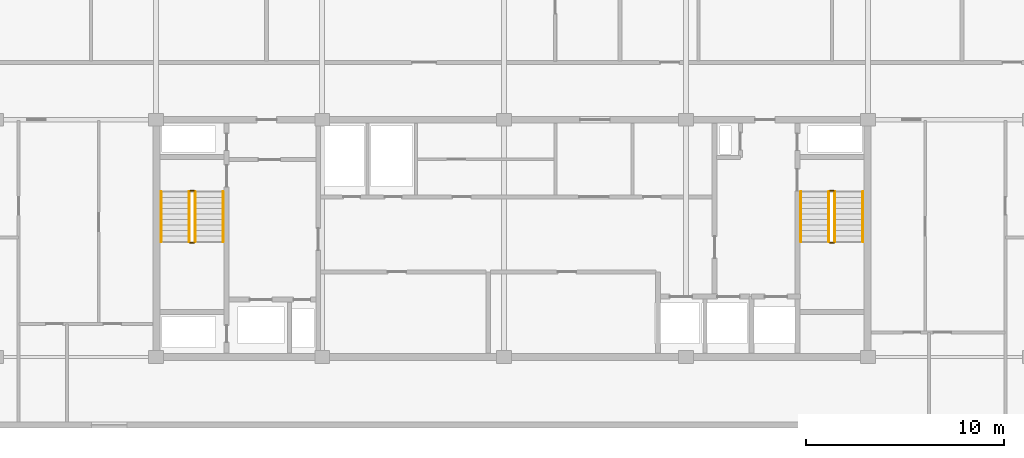
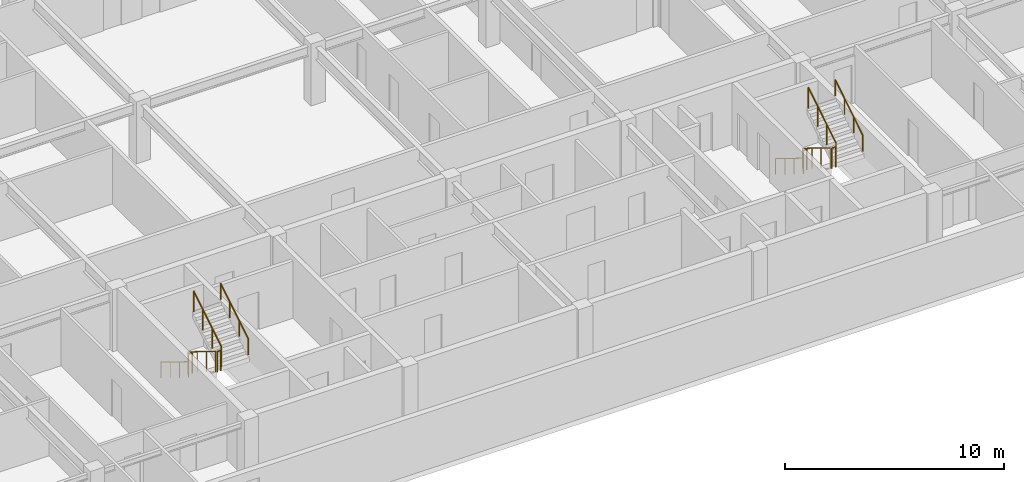
# One storey, part 9 of 10: 12 railings.
"""IFC4 building model written with IfcOpenShell, lengths in metres."""

from ifc_helpers import new_model, si_unit, direction, frame, origin, origin_2d, place, context, subcontext, project, spatial, circle, extrude, material, type_object, element, save


model = new_model("IFC4")

# Units and contexts
model_context = context("Model", 3, precision=1e-05, world=origin(), true_north=direction((0.0, 1.0)))
body_context = subcontext(model_context, "Body", "Model", "MODEL_VIEW")
ifc_project = project(units=[si_unit("LENGTHUNIT", "METRE"), si_unit("AREAUNIT", "SQUARE_METRE"), si_unit("VOLUMEUNIT", "CUBIC_METRE"), si_unit("PLANEANGLEUNIT", "RADIAN"), si_unit("MASSUNIT", "GRAM", prefix="KILO")], contexts=[model_context])

# Site, building, storey
site_placement = place(None, origin())
site = spatial("IfcSite", under=ifc_project, at=site_placement, CompositionType="ELEMENT")
building_placement = place(site_placement, origin())
building = spatial("IfcBuilding", under=site, at=building_placement, Name="Korimba Cascade Residences", CompositionType="ELEMENT")
storey_placement = place(building_placement, frame((0.0, 0.0, 235.550048828125)))
storey = spatial("IfcBuildingStorey", under=building, at=storey_placement, Name="L68", CompositionType="ELEMENT", Elevation=235.550048828125)

# Railings
ifc_material_1 = material(Name="Painted Steel Stairwell Guardrail", Category="steel")
railing_type_1 = type_object("IfcRailingType", Name="RLG-ST-GD1150", PredefinedType="GUARDRAIL", material=ifc_material_1)
railing_1_placement = place(storey_placement, frame((77.77001953125, 63.550048828125, 0.17236328125)))
element("IfcRailing", 1, at=railing_1_placement, inside=storey, type_object=railing_type_1, Name="L68 ST-W1 stair guard 1", PredefinedType="GUARDRAIL", context=body_context, shape_type="SweptSolid", body=[
    extrude(circle(Radius=0.02392578125, at=origin_2d()), frame((0.0, 0.0, 1.1259765625), z_axis=(0.0, -0.851400495292, 0.524516154772), x_axis=(1.0, 0.0, 0.0)), (0.0, 0.0, 1.0), 2.9599609375),
    extrude(circle(Radius=0.02099609375, at=origin_2d()), origin(), (0.0, 0.0, 1.0), 1.101806640625),
    extrude(circle(Radius=0.02099609375, at=origin_2d()), frame((0.0, -0.840087890625, 0.517578125)), (0.0, 0.0, 1.0), 1.101806640625),
    extrude(circle(Radius=0.02099609375, at=origin_2d()), frame((0.0, -1.679931640625, 1.034912109375)), (0.0, 0.0, 1.0), 1.101806640625),
    extrude(circle(Radius=0.02099609375, at=origin_2d()), frame((0.0, -2.52001953125, 1.552490234375)), (0.0, 0.0, 1.0), 1.101806640625),
])
railing_2_placement = place(storey_placement, frame((77.820068359375, 60.97998046875, 1.724853515625)))
element("IfcRailing", 2, at=railing_2_placement, inside=storey, type_object=railing_type_1, Name="L68 ST-W1 stair guard 2", PredefinedType="GUARDRAIL", context=body_context, shape_type="SweptSolid", body=[
    extrude(circle(Radius=0.02392578125, at=origin_2d()), frame((0.0, 0.0, 1.1259765625), z_axis=(1.0, 0.0, 0.0), x_axis=(0.0, 1.0, 0.0)), (0.0, 0.0, 1.0), 0.199951171875),
    extrude(circle(Radius=0.02099609375, at=origin_2d()), origin(), (0.0, 0.0, 1.0), 1.101806640625),
    extrude(circle(Radius=0.02099609375, at=origin_2d()), frame((0.199951171875, 0.0, 0.0)), (0.0, 0.0, 1.0), 1.101806640625),
])
railing_3_placement = place(storey_placement, frame((78.070068359375, 61.030029296875, 1.8974609375)))
element("IfcRailing", 3, at=railing_3_placement, inside=storey, type_object=railing_type_1, Name="L68 ST-W1 stair guard 3", PredefinedType="GUARDRAIL", context=body_context, shape_type="SweptSolid", body=[
    extrude(circle(Radius=0.02392578125, at=origin_2d()), frame((0.0, 0.0, 1.1259765625), z_axis=(0.0, 0.851400495292, 0.524516154772), x_axis=(-1.0, 0.0, 0.0)), (0.0, 0.0, 1.0), 2.9599609375),
    extrude(circle(Radius=0.02099609375, at=origin_2d()), origin(), (0.0, 0.0, 1.0), 1.101806640625),
    extrude(circle(Radius=0.02099609375, at=origin_2d()), frame((0.0, 0.840087890625, 0.517578125)), (0.0, 0.0, 1.0), 1.101806640625),
    extrude(circle(Radius=0.02099609375, at=origin_2d()), frame((0.0, 1.679931640625, 1.034912109375)), (0.0, 0.0, 1.0), 1.101806640625),
    extrude(circle(Radius=0.02099609375, at=origin_2d()), frame((0.0, 2.52001953125, 1.552490234375)), (0.0, 0.0, 1.0), 1.101806640625),
])
railing_4_placement = place(storey_placement, frame((77.820068359375, 63.60009765625, 0.0)))
element("IfcRailing", 4, at=railing_4_placement, inside=storey, type_object=railing_type_1, Name="L68 ST-W1 stair guard 4", PredefinedType="GUARDRAIL", context=body_context, shape_type="SweptSolid", body=[
    extrude(circle(Radius=0.02392578125, at=origin_2d()), frame((0.0, 0.0, 1.1259765625), z_axis=(1.0, 0.0, 0.0), x_axis=(0.0, 1.0, 0.0)), (0.0, 0.0, 1.0), 0.199951171875),
    extrude(circle(Radius=0.02099609375, at=origin_2d()), origin(), (0.0, 0.0, 1.0), 1.101806640625),
    extrude(circle(Radius=0.02099609375, at=origin_2d()), frame((0.199951171875, 0.0, 0.0)), (0.0, 0.0, 1.0), 1.101806640625),
])
railing_5_placement = place(storey_placement, frame((110.1298828125, 63.550048828125, 0.17236328125)))
element("IfcRailing", 5, at=railing_5_placement, inside=storey, type_object=railing_type_1, Name="L68 ST-W2 stair guard 1", PredefinedType="GUARDRAIL", context=body_context, shape_type="SweptSolid", body=[
    extrude(circle(Radius=0.02392578125, at=origin_2d()), frame((0.0, 0.0, 1.1259765625), z_axis=(0.0, -0.851400495292, 0.524516154772), x_axis=(1.0, 0.0, 0.0)), (0.0, 0.0, 1.0), 2.9599609375),
    extrude(circle(Radius=0.02099609375, at=origin_2d()), origin(), (0.0, 0.0, 1.0), 1.101806640625),
    extrude(circle(Radius=0.02099609375, at=origin_2d()), frame((0.0, -0.840087890625, 0.517578125)), (0.0, 0.0, 1.0), 1.101806640625),
    extrude(circle(Radius=0.02099609375, at=origin_2d()), frame((0.0, -1.679931640625, 1.034912109375)), (0.0, 0.0, 1.0), 1.101806640625),
    extrude(circle(Radius=0.02099609375, at=origin_2d()), frame((0.0, -2.52001953125, 1.552490234375)), (0.0, 0.0, 1.0), 1.101806640625),
])
railing_6_placement = place(storey_placement, frame((110.179931640625, 60.97998046875, 1.724853515625)))
element("IfcRailing", 6, at=railing_6_placement, inside=storey, type_object=railing_type_1, Name="L68 ST-W2 stair guard 2", PredefinedType="GUARDRAIL", context=body_context, shape_type="SweptSolid", body=[
    extrude(circle(Radius=0.02392578125, at=origin_2d()), frame((0.0, 0.0, 1.1259765625), z_axis=(1.0, 0.0, 0.0), x_axis=(0.0, 1.0, 0.0)), (0.0, 0.0, 1.0), 0.199951171875),
    extrude(circle(Radius=0.02099609375, at=origin_2d()), origin(), (0.0, 0.0, 1.0), 1.101806640625),
    extrude(circle(Radius=0.02099609375, at=origin_2d()), frame((0.199951171875, 0.0, 0.0)), (0.0, 0.0, 1.0), 1.101806640625),
])
railing_7_placement = place(storey_placement, frame((110.429931640625, 61.030029296875, 1.8974609375)))
element("IfcRailing", 7, at=railing_7_placement, inside=storey, type_object=railing_type_1, Name="L68 ST-W2 stair guard 3", PredefinedType="GUARDRAIL", context=body_context, shape_type="SweptSolid", body=[
    extrude(circle(Radius=0.02392578125, at=origin_2d()), frame((0.0, 0.0, 1.1259765625), z_axis=(0.0, 0.851400495292, 0.524516154772), x_axis=(-1.0, 0.0, 0.0)), (0.0, 0.0, 1.0), 2.9599609375),
    extrude(circle(Radius=0.02099609375, at=origin_2d()), origin(), (0.0, 0.0, 1.0), 1.101806640625),
    extrude(circle(Radius=0.02099609375, at=origin_2d()), frame((0.0, 0.840087890625, 0.517578125)), (0.0, 0.0, 1.0), 1.101806640625),
    extrude(circle(Radius=0.02099609375, at=origin_2d()), frame((0.0, 1.679931640625, 1.034912109375)), (0.0, 0.0, 1.0), 1.101806640625),
    extrude(circle(Radius=0.02099609375, at=origin_2d()), frame((0.0, 2.52001953125, 1.552490234375)), (0.0, 0.0, 1.0), 1.101806640625),
])
railing_8_placement = place(storey_placement, frame((110.179931640625, 63.60009765625, 0.0)))
element("IfcRailing", 8, at=railing_8_placement, inside=storey, type_object=railing_type_1, Name="L68 ST-W2 stair guard 4", PredefinedType="GUARDRAIL", context=body_context, shape_type="SweptSolid", body=[
    extrude(circle(Radius=0.02392578125, at=origin_2d()), frame((0.0, 0.0, 1.1259765625), z_axis=(1.0, 0.0, 0.0), x_axis=(0.0, 1.0, 0.0)), (0.0, 0.0, 1.0), 0.199951171875),
    extrude(circle(Radius=0.02099609375, at=origin_2d()), origin(), (0.0, 0.0, 1.0), 1.101806640625),
    extrude(circle(Radius=0.02099609375, at=origin_2d()), frame((0.199951171875, 0.0, 0.0)), (0.0, 0.0, 1.0), 1.101806640625),
])
ifc_material_2 = material(Name="Brushed Stainless Steel Handrail", Category="steel")
railing_type_2 = type_object("IfcRailingType", Name="RLG-ST-HR900", PredefinedType="HANDRAIL", material=ifc_material_2)
railing_9_placement = place(storey_placement, frame((76.35009765625, 63.550048828125, 0.3486328125)))
element("IfcRailing", 9, at=railing_9_placement, inside=storey, type_object=railing_type_2, Name="L68 ST-W1 stair handrail 1", PredefinedType="HANDRAIL", context=body_context, shape_type="SweptSolid", body=[
    extrude(circle(Radius=0.02392578125, at=origin_2d()), frame((0.0, 0.0, 0.8759765625), z_axis=(0.0, -0.851400495292, 0.524516154772), x_axis=(1.0, 0.0, 0.0)), (0.0, 0.0, 1.0), 2.9599609375),
    extrude(circle(Radius=0.02099609375, at=origin_2d()), origin(), (0.0, 0.0, 1.0), 0.851806640625),
    extrude(circle(Radius=0.02099609375, at=origin_2d()), frame((0.0, -0.840087890625, 0.517578125)), (0.0, 0.0, 1.0), 0.851806640625),
    extrude(circle(Radius=0.02099609375, at=origin_2d()), frame((0.0, -1.679931640625, 1.034912109375)), (0.0, 0.0, 1.0), 0.851806640625),
    extrude(circle(Radius=0.02099609375, at=origin_2d()), frame((0.0, -2.52001953125, 1.552490234375)), (0.0, 0.0, 1.0), 0.851806640625),
])
railing_10_placement = place(storey_placement, frame((79.489990234375, 61.030029296875, 2.073486328125)))
element("IfcRailing", 10, at=railing_10_placement, inside=storey, type_object=railing_type_2, Name="L68 ST-W1 stair handrail 2", PredefinedType="HANDRAIL", context=body_context, shape_type="SweptSolid", body=[
    extrude(circle(Radius=0.02392578125, at=origin_2d()), frame((0.0, 0.0, 0.8759765625), z_axis=(0.0, 0.851400495292, 0.524516154772), x_axis=(-1.0, 0.0, 0.0)), (0.0, 0.0, 1.0), 2.9599609375),
    extrude(circle(Radius=0.02099609375, at=origin_2d()), origin(), (0.0, 0.0, 1.0), 0.851806640625),
    extrude(circle(Radius=0.02099609375, at=origin_2d()), frame((0.0, 0.840087890625, 0.517578125)), (0.0, 0.0, 1.0), 0.851806640625),
    extrude(circle(Radius=0.02099609375, at=origin_2d()), frame((0.0, 1.679931640625, 1.034912109375)), (0.0, 0.0, 1.0), 0.851806640625),
    extrude(circle(Radius=0.02099609375, at=origin_2d()), frame((0.0, 2.52001953125, 1.552490234375)), (0.0, 0.0, 1.0), 0.851806640625),
])
railing_11_placement = place(storey_placement, frame((108.7099609375, 63.550048828125, 0.3486328125)))
element("IfcRailing", 11, at=railing_11_placement, inside=storey, type_object=railing_type_2, Name="L68 ST-W2 stair handrail 1", PredefinedType="HANDRAIL", context=body_context, shape_type="SweptSolid", body=[
    extrude(circle(Radius=0.02392578125, at=origin_2d()), frame((0.0, 0.0, 0.8759765625), z_axis=(0.0, -0.851400495292, 0.524516154772), x_axis=(1.0, 0.0, 0.0)), (0.0, 0.0, 1.0), 2.9599609375),
    extrude(circle(Radius=0.02099609375, at=origin_2d()), origin(), (0.0, 0.0, 1.0), 0.851806640625),
    extrude(circle(Radius=0.02099609375, at=origin_2d()), frame((0.0, -0.840087890625, 0.517578125)), (0.0, 0.0, 1.0), 0.851806640625),
    extrude(circle(Radius=0.02099609375, at=origin_2d()), frame((0.0, -1.679931640625, 1.034912109375)), (0.0, 0.0, 1.0), 0.851806640625),
    extrude(circle(Radius=0.02099609375, at=origin_2d()), frame((0.0, -2.52001953125, 1.552490234375)), (0.0, 0.0, 1.0), 0.851806640625),
])
railing_12_placement = place(storey_placement, frame((111.85009765625, 61.030029296875, 2.073486328125)))
element("IfcRailing", 12, at=railing_12_placement, inside=storey, type_object=railing_type_2, Name="L68 ST-W2 stair handrail 2", PredefinedType="HANDRAIL", context=body_context, shape_type="SweptSolid", body=[
    extrude(circle(Radius=0.02392578125, at=origin_2d()), frame((0.0, 0.0, 0.8759765625), z_axis=(0.0, 0.851400495292, 0.524516154772), x_axis=(-1.0, 0.0, 0.0)), (0.0, 0.0, 1.0), 2.9599609375),
    extrude(circle(Radius=0.02099609375, at=origin_2d()), origin(), (0.0, 0.0, 1.0), 0.851806640625),
    extrude(circle(Radius=0.02099609375, at=origin_2d()), frame((0.0, 0.840087890625, 0.517578125)), (0.0, 0.0, 1.0), 0.851806640625),
    extrude(circle(Radius=0.02099609375, at=origin_2d()), frame((0.0, 1.679931640625, 1.034912109375)), (0.0, 0.0, 1.0), 0.851806640625),
    extrude(circle(Radius=0.02099609375, at=origin_2d()), frame((0.0, 2.52001953125, 1.552490234375)), (0.0, 0.0, 1.0), 0.851806640625),
])

save(model, "model.ifc")
